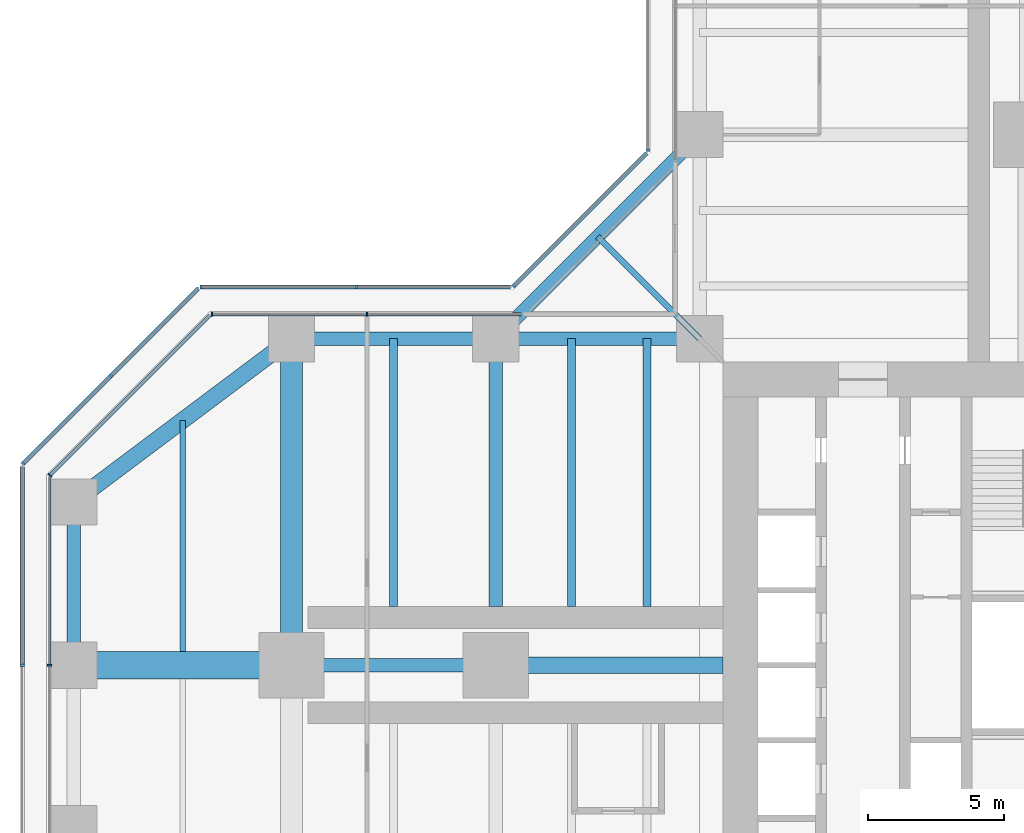
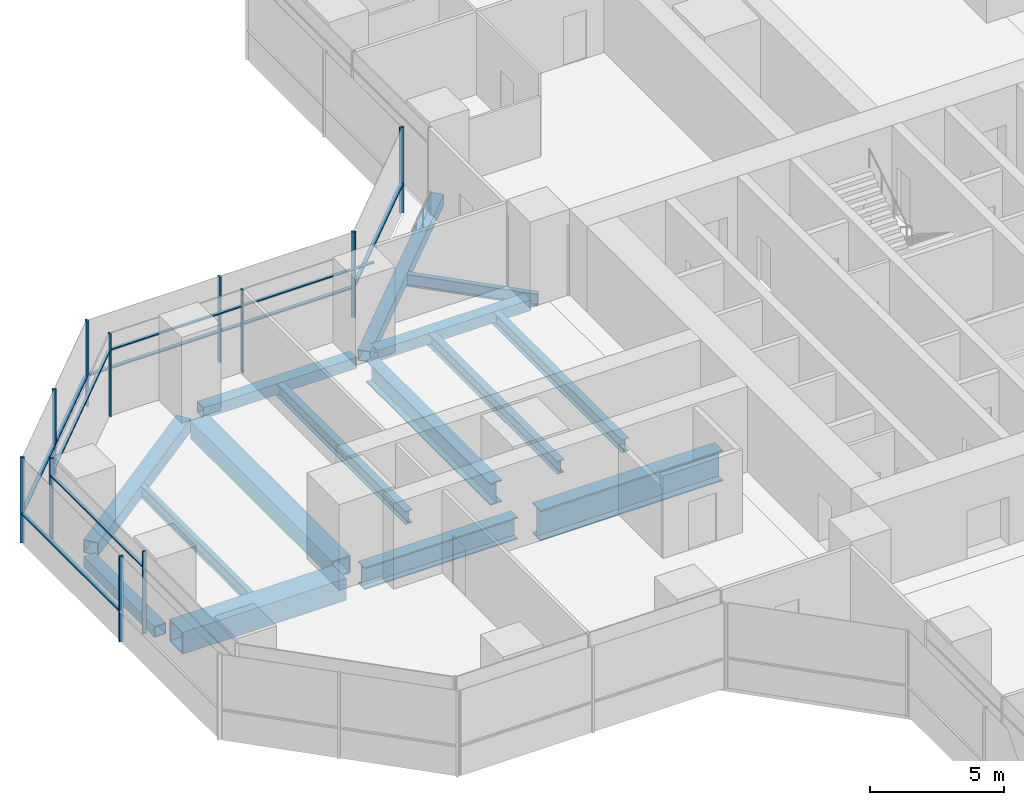
# One storey, part 8 of 22: 21 members, 15 beams, 8 elements without a shape of their own.
"""IFC4 building model written with IfcOpenShell, lengths in metres."""

import ifcopenshell
import ifcopenshell.guid

model = None  # the IFC model being written
_history = None  # IfcOwnerHistory: only IFC2X3 demands one
_inside = {}  # id of a spatial element -> (the spatial element, [elements in it])
_under = {}  # id of a project, library or spatial element -> (it, [spatial elements below it])
_declared = {}  # id of a project -> (the project, [libraries it declares])
_typed = {}  # id of a type object -> (the type object, [elements of that type])
_made_of = {}  # id of a material, layer set ... -> (it, [elements and type objects made of it])


def new_model(schema):
    """Start an empty IFC model of exactly this schema.

    Asked for "IFC4X3", IfcOpenShell would pick the latest addendum, in which some entities
    have other attributes; the version numbers below select the first issue.
    IFC2X3 requires an IfcOwnerHistory on every rooted entity: one is made here for all.
    """
    global model, _history
    if schema == "IFC4X3":
        model = ifcopenshell.file(schema_version=(4, 3, 0, 0))
    else:
        model = ifcopenshell.file(schema=schema)
    _inside.clear()
    _under.clear()
    _declared.clear()
    _typed.clear()
    _made_of.clear()
    _history = None
    if model.schema == "IFC2X3":
        org = make("IfcOrganization", Name="unknown")
        user = make(
            "IfcPersonAndOrganization",
            ThePerson=make("IfcPerson", FamilyName="unknown"),
            TheOrganization=org,
        )
        app = make(
            "IfcApplication",
            ApplicationDeveloper=org,
            Version="unknown",
            ApplicationFullName="unknown",
            ApplicationIdentifier="unknown",
        )
        _history = make(
            "IfcOwnerHistory",
            OwningUser=user,
            OwningApplication=app,
            ChangeAction="ADDED",
            CreationDate=0,
        )
    return model


def make(cls, **values):
    """One entity of the class cls with the attributes given. An attribute that is None is left unset."""
    return model.create_entity(
        cls, **{name: value for name, value in values.items() if value is not None}
    )


def rooted(cls, **values):
    """An entity with a GlobalId (a new one), such as an element, a storey or a relation."""
    return make(cls, GlobalId=ifcopenshell.guid.new(), OwnerHistory=_history, **values)


def si_unit(unit_type, name, prefix=None):
    """IfcSIUnit, for example si_unit("LENGTHUNIT", "METRE", prefix="MILLI")."""
    return make("IfcSIUnit", UnitType=unit_type, Prefix=prefix, Name=name)


def assignment(units):
    """IfcUnitAssignment: the units of a project."""
    return None if units is None else make("IfcUnitAssignment", Units=units)


def point(xyz):
    """IfcCartesianPoint."""
    return None if xyz is None else make("IfcCartesianPoint", Coordinates=xyz)


def direction(xyz):
    """IfcDirection."""
    return None if xyz is None else make("IfcDirection", DirectionRatios=xyz)


def frame(location, z_axis=None, x_axis=None):
    """IfcAxis2Placement3D, a coordinate frame: its origin and axes. An axis left out is left unset."""
    return make(
        "IfcAxis2Placement3D",
        Location=point(location),
        Axis=direction(z_axis),
        RefDirection=direction(x_axis),
    )


def frame_2d(location, x_axis=None):
    """IfcAxis2Placement2D, a coordinate frame in the plane: its origin and x axis."""
    return make(
        "IfcAxis2Placement2D", Location=point(location), RefDirection=direction(x_axis)
    )


def origin():
    """The frame at (0, 0, 0) with its axes left unset."""
    return frame((0.0, 0.0, 0.0))


def origin_2d():
    """The frame at (0, 0) in the plane with its x axis left unset."""
    return frame_2d((0.0, 0.0))


def place(relative_to, where):
    """IfcLocalPlacement: puts the frame where relative to a parent placement (None: the world)."""
    return make(
        "IfcLocalPlacement", PlacementRelTo=relative_to, RelativePlacement=where
    )


def context(
    kind, dimensions, precision=None, world=None, true_north=None, identifier=None
):
    """IfcGeometricRepresentationContext, for example the 3D "Model" context."""
    return make(
        "IfcGeometricRepresentationContext",
        ContextIdentifier=identifier,
        ContextType=kind,
        CoordinateSpaceDimension=dimensions,
        Precision=precision,
        WorldCoordinateSystem=world,
        TrueNorth=true_north,
    )


def subcontext(parent, identifier, kind, view, scale=None):
    """IfcGeometricRepresentationSubContext, for example "Body" below "Model"."""
    return make(
        "IfcGeometricRepresentationSubContext",
        ContextIdentifier=identifier,
        ContextType=kind,
        ParentContext=parent,
        TargetScale=scale,
        TargetView=view,
    )


def project(units=None, contexts=None):
    """IfcProject with its units and contexts."""
    return rooted(
        "IfcProject",
        Name="project",
        RepresentationContexts=contexts,
        UnitsInContext=assignment(units),
    )


def spatial(cls, under=None, at=None, **own):
    """A site, building, storey or space (cls), placed at a placement, below another one or the project."""
    s = rooted(cls, ObjectPlacement=at, **own)
    if under is not None:
        _under.setdefault(under.id(), (under, []))[1].append(s)
    return s


def profile(cls, at=None, kind="AREA", **sizes):
    """A parametric profile (cls). Its sizes go by their IFC names, for example OverallWidth=200.0."""
    return make(cls, ProfileType=kind, Position=at, **sizes)


def rectangle(**sizes):
    """IfcRectangleProfileDef."""
    return profile("IfcRectangleProfileDef", **sizes)


def hollow_rectangle(**sizes):
    """IfcRectangleHollowProfileDef."""
    return profile("IfcRectangleHollowProfileDef", **sizes)


def i_section(**sizes):
    """IfcIShapeProfileDef."""
    return profile("IfcIShapeProfileDef", **sizes)


def extrude(swept, where, along, depth):
    """IfcExtrudedAreaSolid: the profile swept, set in the frame where, extruded along a direction by depth."""
    return make(
        "IfcExtrudedAreaSolid",
        SweptArea=swept,
        Position=where,
        ExtrudedDirection=direction(along),
        Depth=depth,
    )


def shape(context_of_items, identifier, shape_type, items):
    """IfcShapeRepresentation: the items that make up one representation, for example the "Body"."""
    return make(
        "IfcShapeRepresentation",
        ContextOfItems=context_of_items,
        RepresentationIdentifier=identifier,
        RepresentationType=shape_type,
        Items=items,
    )


def material(Name=None, Category=None):
    """IfcMaterial."""
    return make("IfcMaterial", Name=Name, Category=Category)


def material_profile(
    of_material, cross_section, Name=None, Category=None, Priority=None
):
    """IfcMaterialProfile: a cross section and its material."""
    return make(
        "IfcMaterialProfile",
        Name=Name,
        Material=of_material,
        Profile=cross_section,
        Priority=Priority,
        Category=Category,
    )


def profile_set(profiles, Name=None, composite=None):
    """IfcMaterialProfileSet."""
    return make(
        "IfcMaterialProfileSet",
        Name=Name,
        MaterialProfiles=profiles,
        CompositeProfile=composite,
    )


def made_of(thing, what):
    """Note that an element or type object is made of a material, layer set ...; save() writes the relation."""
    if what is not None:
        _made_of.setdefault(what.id(), (what, []))[1].append(thing)
    return thing


def type_object(cls, material=None, **own):
    """A type object (cls), such as IfcWallType, which elements share."""
    return made_of(rooted(cls, **own), material)


def element(
    cls,
    number,
    at=None,
    inside=None,
    cuts=None,
    type_object=None,
    material=None,
    context=None,
    identifier="Body",
    shape_type=None,
    held_by="IfcProductDefinitionShape",
    body=None,
    shapes=None,
    **own,
):
    """One element of the class cls, such as IfcWall. Its Tag is "e" and its number.

    at: its placement. inside: the storey or other place that contains it. cuts: it is an
    opening in that element (IfcRelVoidsElement). A single representation is given by context,
    identifier, shape_type and body (its items); several are given by shapes. held_by: the class
    of the entity that holds the representations. save() writes the other relations.
    """
    e = rooted(cls, Tag="e%d" % number, ObjectPlacement=at, **own)
    if body is not None:
        shapes = [shape(context, identifier, shape_type, body)]
    if shapes is not None:
        e.Representation = make(held_by, Representations=shapes)
    if inside is not None:
        _inside.setdefault(inside.id(), (inside, []))[1].append(e)
    if cuts is not None:
        rooted(
            "IfcRelVoidsElement", RelatingBuildingElement=cuts, RelatedOpeningElement=e
        )
    if type_object is not None:
        _typed.setdefault(type_object.id(), (type_object, []))[1].append(e)
    return made_of(e, material)


def aggregate(whole, parts):
    """IfcRelAggregates: a whole, such as a stair, and the parts it consists of."""
    return rooted("IfcRelAggregates", RelatingObject=whole, RelatedObjects=parts)


def save(model, path):
    """Write the relations noted so far, then the file.

    IfcRelAggregates (storeys below a building ...), IfcRelContainedInSpatialStructure (elements
    in a storey), IfcRelDefinesByType, IfcRelAssociatesMaterial and IfcRelDeclares: one each for
    every whole, place, type object, material and project.
    """
    for whole, parts in _under.values():
        aggregate(whole, parts)
    for where, things in _inside.values():
        rooted(
            "IfcRelContainedInSpatialStructure",
            RelatedElements=things,
            RelatingStructure=where,
        )
    for kind, things in _typed.values():
        rooted("IfcRelDefinesByType", RelatedObjects=things, RelatingType=kind)
    for what, things in _made_of.values():
        rooted("IfcRelAssociatesMaterial", RelatedObjects=things, RelatingMaterial=what)
    for by, libraries in _declared.values():
        rooted("IfcRelDeclares", RelatingContext=by, RelatedDefinitions=libraries)
    model.write(path)


model = new_model("IFC4")

# Units and contexts
model_context = context("Model", 3, precision=1e-05, world=origin(), true_north=direction((0.0, 1.0)))
body_context = subcontext(model_context, "Body", "Model", "MODEL_VIEW")
ifc_project = project(units=[si_unit("LENGTHUNIT", "METRE"), si_unit("AREAUNIT", "SQUARE_METRE"), si_unit("VOLUMEUNIT", "CUBIC_METRE"), si_unit("PLANEANGLEUNIT", "RADIAN"), si_unit("MASSUNIT", "GRAM", prefix="KILO")], contexts=[model_context])

# Site, building, storey
site_placement = place(None, origin())
site = spatial("IfcSite", under=ifc_project, at=site_placement, CompositionType="ELEMENT")
building_placement = place(site_placement, origin())
building = spatial("IfcBuilding", under=site, at=building_placement, Name="Mizan Broadcast Tower", CompositionType="ELEMENT")
storey_placement = place(building_placement, frame((0.0, 0.0, 102.0)))
storey = spatial("IfcBuildingStorey", under=building, at=storey_placement, Name="L22", CompositionType="ELEMENT", Elevation=102.0)

# Beams
ifc_material_1 = material(Name="Steel S355", Category="steel")
ifc_material_profile_1 = material_profile(ifc_material_1, hollow_rectangle(XDim=0.5, YDim=0.5, WallThickness=0.030029296875, at=origin_2d()), Name="BOX 500x500x30")
ifc_profile_set_1 = profile_set([ifc_material_profile_1], Name="Steel S355")
beam_type_1 = type_object("IfcBeamType", Name="EDGE BEAM BOX 500x500x30", PredefinedType="SPANDREL", material=ifc_profile_set_1)
for number, where, z_axis, x_axis, name in (
    (1, (-12.449951171875, 12.0, -0.3798828125), (-1.0, 0.0, 0.0), (0.0, -1.0, 0.0), "Edge beam BOX 500x500x30 L22 west arm"),
    (2, (-19.949951171875, 12.0, -0.3798828125), (-1.0, 0.0, 0.0), (0.0, -1.0, 0.0), "Edge beam BOX 500x500x30 L22 west arm"),
):
    element("IfcBeam", number, at=place(storey_placement, frame(where, z_axis=z_axis, x_axis=x_axis)), inside=storey, type_object=beam_type_1, Name=name, PredefinedType="SPANDREL", context=body_context, shape_type="SweptSolid", body=[
        extrude(hollow_rectangle(XDim=0.5, YDim=0.5, WallThickness=0.030029296875, at=origin_2d()), origin(), (0.0, 0.0, 1.0), 6.60009765625),
    ])
beam_1_placement = place(storey_placement, frame((-35.0, 5.639892578125, -0.3798828125), z_axis=(0.0, -1.0, 0.0), x_axis=(1.0, 0.0, 0.0)))
element("IfcBeam", 3, at=beam_1_placement, inside=storey, type_object=beam_type_1, Name="Edge beam BOX 500x500x30 L22 west arm", PredefinedType="SPANDREL", context=body_context, shape_type="SweptSolid", body=[
    extrude(hollow_rectangle(XDim=0.5, YDim=0.5, WallThickness=0.030029296875, at=origin_2d()), origin(), (0.0, 0.0, 1.0), 5.27978515625),
])
beam_2_placement = place(storey_placement, frame((-12.0, 19.5, -0.3798828125), z_axis=(-0.707106781187, -0.707106781187, 0.0), x_axis=(0.707106781187, -0.707106781187, 0.0)))
element("IfcBeam", 4, at=beam_2_placement, inside=storey, type_object=beam_type_1, Name="Winter garden edge beam L22 N", PredefinedType="SPANDREL", context=body_context, shape_type="SweptSolid", body=[
    extrude(hollow_rectangle(XDim=0.5, YDim=0.5, WallThickness=0.030029296875, at=origin_2d()), origin(), (0.0, 0.0, 1.0), 10.606689453125),
])
ifc_material_2 = material(Name="Steel S355", Category="steel")
ifc_material_profile_2 = material_profile(ifc_material_2, hollow_rectangle(XDim=0.60009765625, YDim=0.60009765625, WallThickness=0.030029296875, at=origin_2d()), Name="BOX 600x600x30")
ifc_profile_set_2 = profile_set([ifc_material_profile_2], Name="Steel S355")
beam_type_2 = type_object("IfcBeamType", Name="EDGE BEAM BOX 600x600x30", PredefinedType="SPANDREL", material=ifc_profile_set_2)
beam_3_placement = place(storey_placement, frame((-27.47998046875, 11.639892578125, -0.429931640625), z_axis=(-0.800013316712, -0.599982243973, 0.0), x_axis=(0.599982243973, -0.800013316712, 0.0)))
element("IfcBeam", 5, at=beam_3_placement, inside=storey, type_object=beam_type_2, Name="Edge beam BOX 600x600x30 L22 west arm", PredefinedType="SPANDREL", context=body_context, shape_type="SweptSolid", body=[
    extrude(hollow_rectangle(XDim=0.60009765625, YDim=0.60009765625, WallThickness=0.030029296875, at=origin_2d()), origin(), (0.0, 0.0, 1.0), 8.7998046875),
])
ifc_material_3 = material(Name="Steel S460", Category="steel")
ifc_material_profile_3 = material_profile(ifc_material_3, hollow_rectangle(XDim=1.0, YDim=1.0, WallThickness=0.06005859375, at=origin_2d()), Name="BOX 1000x1000x60")
ifc_profile_set_3 = profile_set([ifc_material_profile_3], Name="Steel S460")
beam_type_3 = type_object("IfcBeamType", Name="GIRDER BOX 1000x1000x60", PredefinedType="BEAM", material=ifc_profile_set_3)
beam_4_placement = place(storey_placement, frame((-27.47998046875, 0.0, -0.6298828125), z_axis=(-1.0, 0.0, 0.0), x_axis=(0.0, -1.0, 0.0)))
element("IfcBeam", 6, at=beam_4_placement, inside=storey, type_object=beam_type_3, Name="Girder BOX 1000x1000x60 L22 west arm", PredefinedType="BEAM", context=body_context, shape_type="SweptSolid", body=[
    extrude(hollow_rectangle(XDim=1.0, YDim=1.0, WallThickness=0.06005859375, at=origin_2d()), origin(), (0.0, 0.0, 1.0), 7.0400390625),
])
ifc_material_4 = material(Name="Steel S460", Category="steel")
ifc_material_profile_4 = material_profile(ifc_material_4, hollow_rectangle(XDim=0.800048828125, YDim=0.800048828125, WallThickness=0.050048828125, at=origin_2d()), Name="BOX 800x800x50")
ifc_profile_set_4 = profile_set([ifc_material_profile_4], Name="Steel S460")
beam_type_4 = type_object("IfcBeamType", Name="GIRDER BOX 800x800x50", PredefinedType="BEAM", material=ifc_profile_set_4)
beam_5_placement = place(storey_placement, frame((-27.0, 11.280029296875, -0.530029296875), z_axis=(0.0, -1.0, 0.0), x_axis=(1.0, 0.0, 0.0)))
element("IfcBeam", 7, at=beam_5_placement, inside=storey, type_object=beam_type_4, Name="Girder BOX 800x800x50 L22 west arm", PredefinedType="BEAM", context=body_context, shape_type="SweptSolid", body=[
    extrude(hollow_rectangle(XDim=0.800048828125, YDim=0.800048828125, WallThickness=0.050048828125, at=origin_2d()), origin(), (0.0, 0.0, 1.0), 10.56005859375),
])
ifc_material_5 = material(Name="Steel S460", Category="steel")
ifc_material_profile_5 = material_profile(ifc_material_5, i_section(OverallWidth=0.5, OverallDepth=1.0, WebThickness=0.02490234375, FlangeThickness=0.050048828125, at=origin_2d()), Name="WPG 1000x500")
ifc_profile_set_5 = profile_set([ifc_material_profile_5], Name="Steel S460")
beam_type_5 = type_object("IfcBeamType", Name="GIRDER WPG 1000x500", PredefinedType="BEAM", material=ifc_profile_set_5)
beam_6_placement = place(storey_placement, frame((-19.949951171875, 0.0, -0.6298828125), z_axis=(-1.0, 0.0, 0.0), x_axis=(0.0, -1.0, 0.0)))
element("IfcBeam", 8, at=beam_6_placement, inside=storey, type_object=beam_type_5, Name="Girder WPG 1000x500 L22 west arm", PredefinedType="BEAM", context=body_context, shape_type="SweptSolid", body=[
    extrude(i_section(OverallWidth=0.5, OverallDepth=1.0, WebThickness=0.02490234375, FlangeThickness=0.050048828125, at=origin_2d()), origin(), (0.0, 0.0, 1.0), 6.60009765625),
])
beam_7_placement = place(storey_placement, frame((-19.5, 11.408935546875, -0.6298828125), z_axis=(0.0, -1.0, 0.0), x_axis=(1.0, 0.0, 0.0)))
element("IfcBeam", 9, at=beam_7_placement, inside=storey, type_object=beam_type_5, Name="Girder WPG 1000x500 L22 west arm", PredefinedType="BEAM", context=body_context, shape_type="SweptSolid", body=[
    extrude(i_section(OverallWidth=0.5, OverallDepth=1.0, WebThickness=0.02490234375, FlangeThickness=0.050048828125, at=origin_2d()), origin(), (0.0, 0.0, 1.0), 9.259033203125),
])
ifc_material_6 = material(Name="Steel S460", Category="steel")
ifc_material_profile_6 = material_profile(ifc_material_6, i_section(OverallWidth=0.60009765625, OverallDepth=1.39990234375, WebThickness=0.02490234375, FlangeThickness=0.06005859375, at=origin_2d()), Name="WPG 1400x600")
ifc_profile_set_6 = profile_set([ifc_material_profile_6], Name="Steel S460")
beam_type_6 = type_object("IfcBeamType", Name="GIRDER WPG 1400x600", PredefinedType="BEAM", material=ifc_profile_set_6)
beam_8_placement = place(storey_placement, frame((-11.14990234375, 0.0, -0.830078125), z_axis=(-1.0, 0.0, 0.0), x_axis=(0.0, -1.0, 0.0)))
element("IfcBeam", 10, at=beam_8_placement, inside=storey, type_object=beam_type_6, Name="Girder WPG 1400x600 L22 west arm", PredefinedType="BEAM", context=body_context, shape_type="SweptSolid", body=[
    extrude(i_section(OverallWidth=0.60009765625, OverallDepth=1.39990234375, WebThickness=0.02490234375, FlangeThickness=0.06005859375, at=origin_2d()), origin(), (0.0, 0.0, 1.0), 7.84912109375),
])

# Curtain wall, members
ifc_material_7 = material(Name="Aluminium framed glazing", Category="aluminium")
curtain_wall_type_1 = type_object("IfcCurtainWallType", Name="INNER SKIN LOW ZONE", PredefinedType="USERDEFINED", material=ifc_material_7)
curtain_wall_1_placement = place(storey_placement, origin())
curtain_wall_1 = element("IfcCurtainWall", 11, at=curtain_wall_1_placement, inside=storey, type_object=curtain_wall_type_1, Name="Inner skin low zone L22 W side", ObjectType="INNER SKIN LOW ZONE", PredefinedType="USERDEFINED")
ifc_material_8 = material(Name="Aluminium, pale anodised", Category="aluminium")
ifc_material_profile_7 = material_profile(ifc_material_8, rectangle(XDim=0.159912109375, YDim=0.06005859375, at=origin_2d()), Name="MULLION 160x60")
ifc_profile_set_7 = profile_set([ifc_material_profile_7], Name="Aluminium, pale anodised")
member_type_1 = type_object("IfcMemberType", Name="INNER SKIN MULLION 60x160", PredefinedType="MULLION", material=ifc_profile_set_7)
member_1_placement = place(storey_placement, frame((-24.229248046875, 12.89990234375, 0.0), z_axis=(0.0, 0.0, 1.0), x_axis=(0.0, -1.0, 0.0)))
member_1 = element("IfcMember", 12, at=member_1_placement, type_object=member_type_1, Name="Inner skin low zone L22 W side mullion 2", PredefinedType="MULLION", context=body_context, shape_type="SweptSolid", body=[
    extrude(rectangle(XDim=0.159912109375, YDim=0.06005859375, at=origin_2d()), origin(), (0.0, 0.0, 1.0), 3.77001953125),
])
member_2_placement = place(storey_placement, frame((-29.928466796875, 12.89990234375, 0.0), z_axis=(0.0, 0.0, 1.0), x_axis=(0.0, -1.0, 0.0)))
member_2 = element("IfcMember", 13, at=member_2_placement, type_object=member_type_1, Name="Inner skin low zone L22 W side mullion 3", PredefinedType="MULLION", context=body_context, shape_type="SweptSolid", body=[
    extrude(rectangle(XDim=0.159912109375, YDim=0.06005859375, at=origin_2d()), origin(), (0.0, 0.0, 1.0), 3.77001953125),
])

# Curtain wall, member
curtain_wall_2_placement = place(storey_placement, origin())
curtain_wall_2 = element("IfcCurtainWall", 14, at=curtain_wall_2_placement, inside=storey, type_object=curtain_wall_type_1, Name="Inner skin low zone L22 W chamfer", ObjectType="INNER SKIN LOW ZONE", PredefinedType="USERDEFINED")
member_3_placement = place(storey_placement, frame((-35.87890625, 6.979736328125, 0.0), z_axis=(0.0, 0.0, 1.0), x_axis=(0.707106781187, -0.707106781187, 0.0)))
member_3 = element("IfcMember", 15, at=member_3_placement, type_object=member_type_1, Name="Inner skin low zone L22 W chamfer mullion 2", PredefinedType="MULLION", context=body_context, shape_type="SweptSolid", body=[
    extrude(rectangle(XDim=0.159912109375, YDim=0.06005859375, at=origin_2d()), origin(), (0.0, 0.0, 1.0), 3.77001953125),
])

curtain_wall_3_placement = place(storey_placement, origin())
curtain_wall_3 = element("IfcCurtainWall", 16, at=curtain_wall_3_placement, inside=storey, type_object=curtain_wall_type_1, Name="Inner skin low zone L22 W end", ObjectType="INNER SKIN LOW ZONE", PredefinedType="USERDEFINED")
member_4_placement = place(storey_placement, frame((-35.89990234375, 0.0, 0.0), z_axis=(0.0, 0.0, 1.0), x_axis=(1.0, 0.0, 0.0)))
member_4 = element("IfcMember", 17, at=member_4_placement, type_object=member_type_1, Name="Inner skin low zone L22 W end mullion 2", PredefinedType="MULLION", context=body_context, shape_type="SweptSolid", body=[
    extrude(rectangle(XDim=0.159912109375, YDim=0.06005859375, at=origin_2d()), origin(), (0.0, 0.0, 1.0), 3.77001953125),
])

# Member
ifc_material_9 = material(Name="Aluminium, pale anodised", Category="aluminium")
ifc_material_profile_8 = material_profile(ifc_material_9, rectangle(XDim=0.1201171875, YDim=0.06005859375, at=origin_2d()), Name="TRANSOM 120x60")
ifc_profile_set_8 = profile_set([ifc_material_profile_8], Name="Aluminium, pale anodised")
member_type_2 = type_object("IfcMemberType", Name="INNER SKIN TRANSOM 60x120", PredefinedType="USERDEFINED", material=ifc_profile_set_8)
member_5_placement = place(storey_placement, frame((-18.56005859375, 12.89990234375, 3.030029296875), z_axis=(-1.0, 0.0, 0.0), x_axis=(0.0, -1.0, 0.0)))
member_5 = element("IfcMember", 18, at=member_5_placement, type_object=member_type_2, Name="Inner skin low zone L22 W side transom 1.1", ObjectType="TRANSOM", PredefinedType="USERDEFINED", context=body_context, shape_type="SweptSolid", body=[
    extrude(rectangle(XDim=0.1201171875, YDim=0.06005859375, at=origin_2d()), origin(), (0.0, 0.0, 1.0), 5.63916015625),
])

member_6_placement = place(storey_placement, frame((-24.25927734375, 12.89990234375, 3.030029296875), z_axis=(-1.0, 0.0, 0.0), x_axis=(0.0, -1.0, 0.0)))
member_6 = element("IfcMember", 19, at=member_6_placement, type_object=member_type_2, Name="Inner skin low zone L22 W side transom 2.1", ObjectType="TRANSOM", PredefinedType="USERDEFINED", context=body_context, shape_type="SweptSolid", body=[
    extrude(rectangle(XDim=0.1201171875, YDim=0.06005859375, at=origin_2d()), origin(), (0.0, 0.0, 1.0), 5.639404296875),
])

aggregate(curtain_wall_1, [member_1, member_2, member_5, member_6])

member_7_placement = place(storey_placement, frame((-30.0009765625, 12.857666015625, 3.030029296875), z_axis=(-0.707106781187, -0.707106781187, 0.0), x_axis=(0.707106781187, -0.707106781187, 0.0)))
member_7 = element("IfcMember", 20, at=member_7_placement, type_object=member_type_2, Name="Inner skin low zone L22 W chamfer transom 1.1", ObjectType="TRANSOM", PredefinedType="USERDEFINED", context=body_context, shape_type="SweptSolid", body=[
    extrude(rectangle(XDim=0.1201171875, YDim=0.06005859375, at=origin_2d()), origin(), (0.0, 0.0, 1.0), 8.28271484375),
])

aggregate(curtain_wall_2, [member_3, member_7])

member_8_placement = place(storey_placement, frame((-35.89990234375, 6.898681640625, 3.030029296875), z_axis=(0.0, -1.0, 0.0), x_axis=(1.0, 0.0, 0.0)))
member_8 = element("IfcMember", 21, at=member_8_placement, type_object=member_type_2, Name="Inner skin low zone L22 W end transom 1.1", ObjectType="TRANSOM", PredefinedType="USERDEFINED", context=body_context, shape_type="SweptSolid", body=[
    extrude(rectangle(XDim=0.1201171875, YDim=0.06005859375, at=origin_2d()), origin(), (0.0, 0.0, 1.0), 6.86865234375),
])

aggregate(curtain_wall_3, [member_4, member_8])

# Curtain wall, member
ifc_material_10 = material(Name="Aluminium framed glazing", Category="aluminium")
curtain_wall_type_2 = type_object("IfcCurtainWallType", Name="OUTER SKIN", PredefinedType="USERDEFINED", material=ifc_material_10)
curtain_wall_4_placement = place(storey_placement, origin())
curtain_wall_4 = element("IfcCurtainWall", 22, at=curtain_wall_4_placement, inside=storey, type_object=curtain_wall_type_2, Name="Outer skin L22 N side", ObjectType="OUTER SKIN", PredefinedType="USERDEFINED")
ifc_material_11 = material(Name="Aluminium, pale anodised", Category="aluminium")
ifc_material_profile_9 = material_profile(ifc_material_11, rectangle(XDim=0.159912109375, YDim=0.080078125, at=origin_2d()), Name="MULLION 160x80")
ifc_profile_set_9 = profile_set([ifc_material_profile_9], Name="Aluminium, pale anodised")
member_type_3 = type_object("IfcMemberType", Name="OUTER SKIN MULLION 80x160", PredefinedType="MULLION", material=ifc_profile_set_9)
member_9_placement = place(storey_placement, frame((-13.89990234375, 18.912841796875, 0.0), z_axis=(0.0, 0.0, 1.0), x_axis=(1.0, 0.0, 0.0)))
member_9 = element("IfcMember", 23, at=member_9_placement, type_object=member_type_3, Name="Outer skin L22 N side mullion 3", PredefinedType="MULLION", context=body_context, shape_type="SweptSolid", body=[
    extrude(rectangle(XDim=0.159912109375, YDim=0.080078125, at=origin_2d()), origin(), (0.0, 0.0, 1.0), 3.89990234375),
])
aggregate(curtain_wall_4, [member_9])

curtain_wall_5_placement = place(storey_placement, origin())
curtain_wall_5 = element("IfcCurtainWall", 24, at=curtain_wall_5_placement, inside=storey, type_object=curtain_wall_type_2, Name="Outer skin L22 W chamfer", ObjectType="OUTER SKIN", PredefinedType="USERDEFINED")
member_10_placement = place(storey_placement, frame((-18.844482421875, 13.92822265625, 0.0), z_axis=(0.0, 0.0, 1.0), x_axis=(0.707106781187, -0.707106781187, 0.0)))
member_10 = element("IfcMember", 25, at=member_10_placement, type_object=member_type_3, Name="Outer skin L22 W chamfer mullion 2", PredefinedType="MULLION", context=body_context, shape_type="SweptSolid", body=[
    extrude(rectangle(XDim=0.159912109375, YDim=0.080078125, at=origin_2d()), origin(), (0.0, 0.0, 1.0), 3.89990234375),
])

# Curtain wall, members
curtain_wall_6_placement = place(storey_placement, origin())
curtain_wall_6 = element("IfcCurtainWall", 26, at=curtain_wall_6_placement, inside=storey, type_object=curtain_wall_type_2, Name="Outer skin L22 W side", ObjectType="OUTER SKIN", PredefinedType="USERDEFINED")
member_11_placement = place(storey_placement, frame((-24.622802734375, 13.89990234375, 0.0), z_axis=(0.0, 0.0, 1.0), x_axis=(0.0, -1.0, 0.0)))
member_11 = element("IfcMember", 27, at=member_11_placement, type_object=member_type_3, Name="Outer skin L22 W side mullion 2", PredefinedType="MULLION", context=body_context, shape_type="SweptSolid", body=[
    extrude(rectangle(XDim=0.159912109375, YDim=0.080078125, at=origin_2d()), origin(), (0.0, 0.0, 1.0), 3.89990234375),
])
member_12_placement = place(storey_placement, frame((-30.332763671875, 13.89990234375, 0.0), z_axis=(0.0, 0.0, 1.0), x_axis=(0.0, -1.0, 0.0)))
member_12 = element("IfcMember", 28, at=member_12_placement, type_object=member_type_3, Name="Outer skin L22 W side mullion 3", PredefinedType="MULLION", context=body_context, shape_type="SweptSolid", body=[
    extrude(rectangle(XDim=0.159912109375, YDim=0.080078125, at=origin_2d()), origin(), (0.0, 0.0, 1.0), 3.89990234375),
])

curtain_wall_7_placement = place(storey_placement, origin())
curtain_wall_7 = element("IfcCurtainWall", 29, at=curtain_wall_7_placement, inside=storey, type_object=curtain_wall_type_2, Name="Outer skin L22 W chamfer", ObjectType="OUTER SKIN", PredefinedType="USERDEFINED")
member_13_placement = place(storey_placement, frame((-33.636474609375, 10.636474609375, 0.0), z_axis=(0.0, 0.0, 1.0), x_axis=(0.707106781187, -0.707106781187, 0.0)))
member_13 = element("IfcMember", 30, at=member_13_placement, type_object=member_type_3, Name="Outer skin L22 W chamfer mullion 2", PredefinedType="MULLION", context=body_context, shape_type="SweptSolid", body=[
    extrude(rectangle(XDim=0.159912109375, YDim=0.080078125, at=origin_2d()), origin(), (0.0, 0.0, 1.0), 3.89990234375),
])
member_14_placement = place(storey_placement, frame((-36.871826171875, 7.401123046875, 0.0), z_axis=(0.0, 0.0, 1.0), x_axis=(0.707106781187, -0.707106781187, 0.0)))
member_14 = element("IfcMember", 31, at=member_14_placement, type_object=member_type_3, Name="Outer skin L22 W chamfer mullion 3", PredefinedType="MULLION", context=body_context, shape_type="SweptSolid", body=[
    extrude(rectangle(XDim=0.159912109375, YDim=0.080078125, at=origin_2d()), origin(), (0.0, 0.0, 1.0), 3.89990234375),
])

# Curtain wall, member
curtain_wall_8_placement = place(storey_placement, origin())
curtain_wall_8 = element("IfcCurtainWall", 32, at=curtain_wall_8_placement, inside=storey, type_object=curtain_wall_type_2, Name="Outer skin L22 W end", ObjectType="OUTER SKIN", PredefinedType="USERDEFINED")
member_15_placement = place(storey_placement, frame((-36.89990234375, 0.0, 0.0), z_axis=(0.0, 0.0, 1.0), x_axis=(1.0, 0.0, 0.0)))
member_15 = element("IfcMember", 33, at=member_15_placement, type_object=member_type_3, Name="Outer skin L22 W end mullion 2", PredefinedType="MULLION", context=body_context, shape_type="SweptSolid", body=[
    extrude(rectangle(XDim=0.159912109375, YDim=0.080078125, at=origin_2d()), origin(), (0.0, 0.0, 1.0), 3.89990234375),
])

# Member
ifc_material_12 = material(Name="Aluminium, pale anodised", Category="aluminium")
ifc_material_profile_10 = material_profile(ifc_material_12, rectangle(XDim=0.159912109375, YDim=0.06005859375, at=origin_2d()), Name="TRANSOM 160x60")
ifc_profile_set_10 = profile_set([ifc_material_profile_10], Name="Aluminium, pale anodised")
member_type_4 = type_object("IfcMemberType", Name="OUTER SKIN TRANSOM 60x160", PredefinedType="USERDEFINED", material=ifc_profile_set_10)
member_16_placement = place(storey_placement, frame((-13.95654296875, 18.816162109375, 1.39990234375), z_axis=(-0.707106781187, -0.707106781187, 0.0), x_axis=(0.707106781187, -0.707106781187, 0.0)))
member_16 = element("IfcMember", 34, at=member_16_placement, type_object=member_type_4, Name="Outer skin L22 W chamfer transom 1.1", ObjectType="TRANSOM", PredefinedType="USERDEFINED", context=body_context, shape_type="SweptSolid", body=[
    extrude(rectangle(XDim=0.159912109375, YDim=0.06005859375, at=origin_2d()), origin(), (0.0, 0.0, 1.0), 6.87255859375),
])

aggregate(curtain_wall_5, [member_10, member_16])

member_17_placement = place(storey_placement, frame((-18.952880859375, 13.89990234375, 1.39990234375), z_axis=(-1.0, 0.0, 0.0), x_axis=(0.0, -1.0, 0.0)))
member_17 = element("IfcMember", 35, at=member_17_placement, type_object=member_type_4, Name="Outer skin L22 W side transom 1.1", ObjectType="TRANSOM", PredefinedType="USERDEFINED", context=body_context, shape_type="SweptSolid", body=[
    extrude(rectangle(XDim=0.159912109375, YDim=0.06005859375, at=origin_2d()), origin(), (0.0, 0.0, 1.0), 5.6298828125),
])

member_18_placement = place(storey_placement, frame((-24.662841796875, 13.89990234375, 1.39990234375), z_axis=(-1.0, 0.0, 0.0), x_axis=(0.0, -1.0, 0.0)))
member_18 = element("IfcMember", 36, at=member_18_placement, type_object=member_type_4, Name="Outer skin L22 W side transom 2.1", ObjectType="TRANSOM", PredefinedType="USERDEFINED", context=body_context, shape_type="SweptSolid", body=[
    extrude(rectangle(XDim=0.159912109375, YDim=0.06005859375, at=origin_2d()), origin(), (0.0, 0.0, 1.0), 5.6298828125),
])

aggregate(curtain_wall_6, [member_11, member_12, member_17, member_18])

member_19_placement = place(storey_placement, frame((-30.429443359375, 13.843505859375, 1.39990234375), z_axis=(-0.707106781187, -0.707106781187, 0.0), x_axis=(0.707106781187, -0.707106781187, 0.0)))
member_19 = element("IfcMember", 37, at=member_19_placement, type_object=member_type_4, Name="Outer skin L22 W chamfer transom 1.1", ObjectType="TRANSOM", PredefinedType="USERDEFINED", context=body_context, shape_type="SweptSolid", body=[
    extrude(rectangle(XDim=0.159912109375, YDim=0.06005859375, at=origin_2d()), origin(), (0.0, 0.0, 1.0), 4.495361328125),
])

member_20_placement = place(storey_placement, frame((-33.664794921875, 10.608154296875, 1.39990234375), z_axis=(-0.707106781187, -0.707106781187, 0.0), x_axis=(0.707106781187, -0.707106781187, 0.0)))
member_20 = element("IfcMember", 38, at=member_20_placement, type_object=member_type_4, Name="Outer skin L22 W chamfer transom 2.1", ObjectType="TRANSOM", PredefinedType="USERDEFINED", context=body_context, shape_type="SweptSolid", body=[
    extrude(rectangle(XDim=0.159912109375, YDim=0.06005859375, at=origin_2d()), origin(), (0.0, 0.0, 1.0), 4.495361328125),
])

aggregate(curtain_wall_7, [member_13, member_14, member_19, member_20])

member_21_placement = place(storey_placement, frame((-36.89990234375, 7.292724609375, 1.39990234375), z_axis=(0.0, -1.0, 0.0), x_axis=(1.0, 0.0, 0.0)))
member_21 = element("IfcMember", 39, at=member_21_placement, type_object=member_type_4, Name="Outer skin L22 W end transom 1.1", ObjectType="TRANSOM", PredefinedType="USERDEFINED", context=body_context, shape_type="SweptSolid", body=[
    extrude(rectangle(XDim=0.159912109375, YDim=0.06005859375, at=origin_2d()), origin(), (0.0, 0.0, 1.0), 7.252685546875),
])

aggregate(curtain_wall_8, [member_15, member_21])

# Beams
ifc_material_13 = material(Name="Steel S355", Category="steel")
ifc_material_profile_11 = material_profile(ifc_material_13, i_section(OverallWidth=0.300048828125, OverallDepth=0.590087890625, WebThickness=0.012939453125, FlangeThickness=0.02490234375, FilletRadius=0.027099609375, at=origin_2d()), Name="HEA 600")
ifc_profile_set_11 = profile_set([ifc_material_profile_11], Name="Steel S355")
beam_type_7 = type_object("IfcBeamType", Name="SECONDARY BEAM HEA 600", PredefinedType="JOIST", material=ifc_profile_set_11)
for number, where, z_axis, x_axis, name in (
    (40, (-13.933349609375, 12.0, -0.425048828125), (0.0, -1.0, 0.0), (1.0, 0.0, 0.0), "Secondary beam HEA 600 L22 west arm"),
    (41, (-16.716552734375, 12.0, -0.425048828125), (0.0, -1.0, 0.0), (1.0, 0.0, 0.0), "Secondary beam HEA 600 L22 west arm"),
    (42, (-23.25, 12.0, -0.425048828125), (0.0, -1.0, 0.0), (1.0, 0.0, 0.0), "Secondary beam HEA 600 L22 west arm"),
):
    element("IfcBeam", number, at=place(storey_placement, frame(where, z_axis=z_axis, x_axis=x_axis)), inside=storey, type_object=beam_type_7, Name=name, PredefinedType="JOIST", context=body_context, shape_type="SweptSolid", body=[
        extrude(i_section(OverallWidth=0.300048828125, OverallDepth=0.590087890625, WebThickness=0.012939453125, FlangeThickness=0.02490234375, FilletRadius=0.027099609375, at=origin_2d()), origin(), (0.0, 0.0, 1.0), 9.85009765625),
    ])
ifc_material_14 = material(Name="Steel S355", Category="steel")
ifc_material_profile_12 = material_profile(ifc_material_14, i_section(OverallWidth=0.2099609375, OverallDepth=0.550048828125, WebThickness=0.010986328125, FlangeThickness=0.01708984375, FilletRadius=0.02392578125, at=origin_2d()), Name="IPE 550")
ifc_profile_set_12 = profile_set([ifc_material_profile_12], Name="Steel S355")
beam_type_8 = type_object("IfcBeamType", Name="SECONDARY BEAM IPE 550", PredefinedType="JOIST", material=ifc_profile_set_12)
beam_9_placement = place(storey_placement, frame((-31.0, 9.0, -0.405029296875), z_axis=(0.0, -1.0, 0.0), x_axis=(1.0, 0.0, 0.0)))
element("IfcBeam", 43, at=beam_9_placement, inside=storey, type_object=beam_type_8, Name="Secondary beam IPE 550 L22 west arm", PredefinedType="JOIST", context=body_context, shape_type="SweptSolid", body=[
    extrude(i_section(OverallWidth=0.2099609375, OverallDepth=0.550048828125, WebThickness=0.010986328125, FlangeThickness=0.01708984375, FilletRadius=0.02392578125, at=origin_2d()), origin(), (0.0, 0.0, 1.0), 8.5),
])
beam_10_placement = place(storey_placement, frame((-12.0, 12.0, -0.405029296875), z_axis=(-0.707106781187, 0.707106781187, 0.0), x_axis=(-0.707106781187, -0.707106781187, 0.0)))
element("IfcBeam", 44, at=beam_10_placement, inside=storey, type_object=beam_type_8, Name="Winter garden beam L22 N", PredefinedType="JOIST", context=body_context, shape_type="SweptSolid", body=[
    extrude(i_section(OverallWidth=0.2099609375, OverallDepth=0.550048828125, WebThickness=0.010986328125, FlangeThickness=0.01708984375, FilletRadius=0.02392578125, at=origin_2d()), origin(), (0.0, 0.0, 1.0), 5.30322265625),
])

save(model, "model.ifc")
